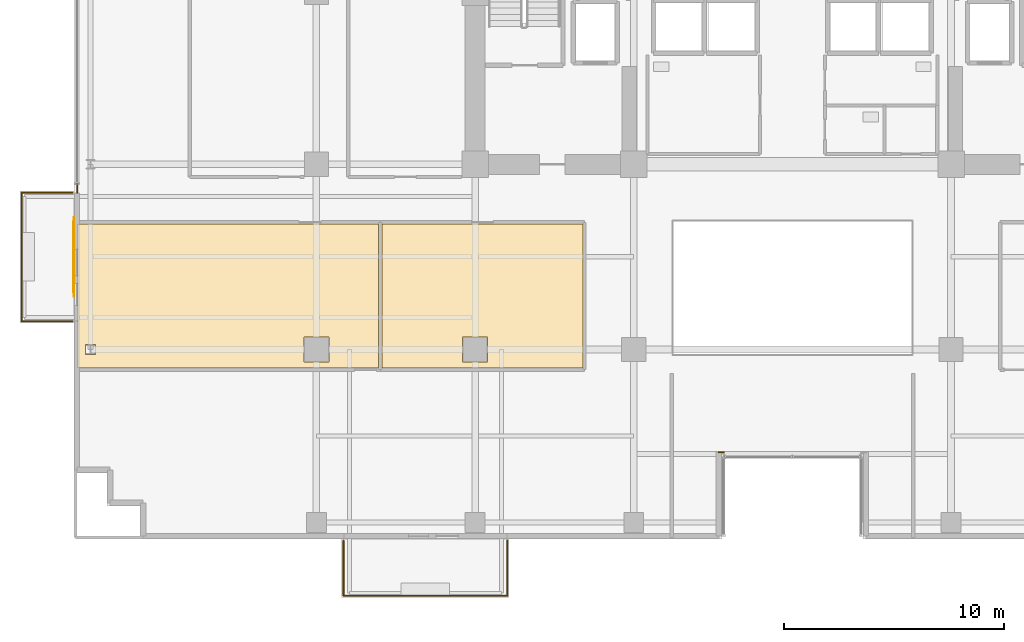
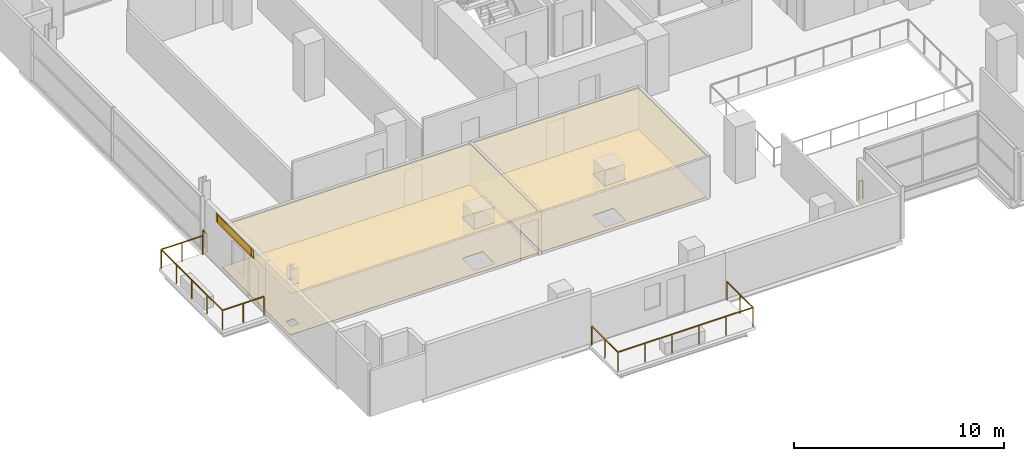
# One storey, part 27 of 30: 5 coverings, 4 railings, 1 shading device.
"""IFC4 building model written with IfcOpenShell, lengths in metres."""

from ifc_helpers import new_model, si_unit, direction, frame, origin, origin_2d, place, context, subcontext, project, spatial, polyline, rectangle, outline, extrude, source, transform, mapped, material, layer, layer_set, type_object, element, save


model = new_model("IFC4")

# Units and contexts
model_context = context("Model", 3, precision=1e-05, world=origin(), true_north=direction((0.0, 1.0)))
body_context = subcontext(model_context, "Body", "Model", "MODEL_VIEW")
ifc_project = project(units=[si_unit("LENGTHUNIT", "METRE"), si_unit("AREAUNIT", "SQUARE_METRE"), si_unit("VOLUMEUNIT", "CUBIC_METRE"), si_unit("PLANEANGLEUNIT", "RADIAN"), si_unit("MASSUNIT", "GRAM", prefix="KILO")], contexts=[model_context])

# Site, building, storey
site_placement = place(None, origin())
site = spatial("IfcSite", under=ifc_project, at=site_placement, CompositionType="ELEMENT")
building_placement = place(site_placement, origin())
building = spatial("IfcBuilding", under=site, at=building_placement, Name="Zarnakvel Exchange Tower", CompositionType="ELEMENT")
storey_placement = place(building_placement, frame((0.0, 0.0, 40.60009765625)))
storey = spatial("IfcBuildingStorey", under=building, at=storey_placement, Name="L10", CompositionType="ELEMENT", Elevation=40.60009765625)

# Coverings
ifc_material_1 = material(Name="Perforated Bronze Acoustic Metal Ceiling", Category="aluminium")
ifc_layer_1 = layer(ifc_material_1, 0.02001953125)
ifc_layer_set_1 = layer_set([ifc_layer_1], Name="Perforated Bronze Acoustic Metal Ceiling")
covering_type_1 = type_object("IfcCoveringType", Name="CLG-01", PredefinedType="CEILING", material=ifc_layer_set_1)
covering_1_placement = place(storey_placement, frame((0.0, 0.0, 2.40478515625)))
element("IfcCovering", 1, at=covering_1_placement, inside=storey, type_object=covering_type_1, Name="L10 Suspended Acoustic Ceiling (Institutional Dealing Room)", PredefinedType="CEILING", context=body_context, shape_type="SweptSolid", body=[
    extrude(outline(polyline([(-32.449951171875, -3.909912109375), (-18.781982421875, -3.909912109375), (-18.781982421875, -10.43994140625), (-32.449951171875, -10.43994140625), (-32.449951171875, -3.909912109375)]), holes=[polyline([(-21.030029296875, -10.169921875), (-21.030029296875, -9.030029296875), (-22.169921875, -9.030029296875), (-22.169921875, -10.169921875), (-21.030029296875, -10.169921875)]), polyline([(-32.075927734375, -9.83251953125), (-31.6240234375, -9.83251953125), (-31.6240234375, -9.367431640625), (-32.075927734375, -9.367431640625), (-32.075927734375, -9.83251953125)])]), origin(), (0.0, 0.0, 1.0), 0.02001953125),
])
covering_2_placement = place(storey_placement, frame((0.0, 0.0, 2.40478515625)))
element("IfcCovering", 2, at=covering_2_placement, inside=storey, type_object=covering_type_1, Name="L10 Suspended Acoustic Ceiling (Clearing Office)", PredefinedType="CEILING", context=body_context, shape_type="SweptSolid", body=[
    extrude(outline(polyline([(-18.6220703125, -3.909912109375), (-9.510009765625, -3.909912109375), (-9.510009765625, -10.43994140625), (-18.6220703125, -10.43994140625), (-18.6220703125, -3.909912109375)]), holes=[polyline([(-13.830078125, -10.169921875), (-13.830078125, -9.030029296875), (-14.969970703125, -9.030029296875), (-14.969970703125, -10.169921875), (-13.830078125, -10.169921875)])]), origin(), (0.0, 0.0, 1.0), 0.02001953125),
])
ifc_material_2 = material(Name="Heavy-Duty Raised Access Floor Panel", Category="steel")
ifc_layer_2 = layer(ifc_material_2, 0.034912109375)
ifc_layer_set_2 = layer_set([ifc_layer_2], Name="Heavy-Duty Raised Access Floor Panel")
covering_type_2 = type_object("IfcCoveringType", Name="FLR-02", PredefinedType="FLOORING", material=ifc_layer_set_2)
covering_3_placement = place(storey_placement, origin())
element("IfcCovering", 3, at=covering_3_placement, inside=storey, type_object=covering_type_2, Name="L10 Floor Finish (Institutional Dealing Room)", PredefinedType="FLOORING", context=body_context, shape_type="SweptSolid", body=[
    extrude(outline(polyline([(-32.449951171875, -3.909912109375), (-18.781982421875, -3.909912109375), (-18.781982421875, -10.43994140625), (-32.449951171875, -10.43994140625), (-32.449951171875, -3.909912109375)]), holes=[polyline([(-21.030029296875, -10.169921875), (-21.030029296875, -9.030029296875), (-22.169921875, -9.030029296875), (-22.169921875, -10.169921875), (-21.030029296875, -10.169921875)]), polyline([(-32.075927734375, -9.83251953125), (-31.6240234375, -9.83251953125), (-31.6240234375, -9.367431640625), (-32.075927734375, -9.367431640625), (-32.075927734375, -9.83251953125)])]), origin(), (0.0, 0.0, 1.0), 0.034912109375),
])
covering_4_placement = place(storey_placement, origin())
element("IfcCovering", 4, at=covering_4_placement, inside=storey, type_object=covering_type_2, Name="L10 Floor Finish (Clearing Office)", PredefinedType="FLOORING", context=body_context, shape_type="SweptSolid", body=[
    extrude(outline(polyline([(-18.6220703125, -3.909912109375), (-9.510009765625, -3.909912109375), (-9.510009765625, -10.43994140625), (-18.6220703125, -10.43994140625), (-18.6220703125, -3.909912109375)]), holes=[polyline([(-13.830078125, -10.169921875), (-13.830078125, -9.030029296875), (-14.969970703125, -9.030029296875), (-14.969970703125, -10.169921875), (-13.830078125, -10.169921875)])]), origin(), (0.0, 0.0, 1.0), 0.034912109375),
])

# Railings
ifc_material_3 = material(Name="Architectural Bronze Anodised Aluminium", Category="aluminium")
railing_type = type_object("IfcRailingType", Name="GR-02", PredefinedType="GUARDRAIL", material=ifc_material_3)
railing_1_placement = place(storey_placement, frame((-20.3701171875, -18.280029296875, -0.03515625)))
element("IfcRailing", 5, at=railing_1_placement, inside=storey, type_object=railing_type, Name="L10 Balcony Guardrail BAL-L10-SW", PredefinedType="GUARDRAIL", context=body_context, shape_type="SweptSolid", body=[
    extrude(rectangle(XDim=0.048095703125, YDim=0.048095703125, at=origin_2d()), frame((0.0, 0.0, 1.09619140625), z_axis=(0.0, -1.0, 0.0), x_axis=(1.0, 0.0, 0.0)), (0.0, 0.0, 1.0), 2.489990234375),
    extrude(rectangle(XDim=0.048095703125, YDim=0.048095703125, at=origin_2d()), frame((0.0, -2.489990234375, 1.09619140625), z_axis=(1.0, 0.0, 0.0), x_axis=(0.0, 1.0, 0.0)), (0.0, 0.0, 1.0), 7.440185546875),
    extrude(rectangle(XDim=0.048095703125, YDim=0.048095703125, at=origin_2d()), frame((7.440185546875, -2.489990234375, 1.09619140625), z_axis=(0.0, 1.0, 0.0), x_axis=(-1.0, 0.0, 0.0)), (0.0, 0.0, 1.0), 2.489990234375),
    extrude(rectangle(XDim=0.0419921875, YDim=0.0419921875, at=origin_2d()), origin(), (0.0, 0.0, 1.0), 1.072021484375),
    extrude(rectangle(XDim=0.0419921875, YDim=0.0419921875, at=origin_2d()), frame((0.0, -1.2451171875, 0.0)), (0.0, 0.0, 1.0), 1.072021484375),
    extrude(rectangle(XDim=0.0419921875, YDim=0.0419921875, at=origin_2d()), frame((0.0, -2.489990234375, 0.0)), (0.0, 0.0, 1.0), 1.072021484375),
    extrude(rectangle(XDim=0.0419921875, YDim=0.0419921875, at=origin_2d()), frame((1.488037109375, -2.489990234375, 0.0)), (0.0, 0.0, 1.0), 1.072021484375),
    extrude(rectangle(XDim=0.0419921875, YDim=0.0419921875, at=origin_2d()), frame((2.97607421875, -2.489990234375, 0.0)), (0.0, 0.0, 1.0), 1.072021484375),
    extrude(rectangle(XDim=0.0419921875, YDim=0.0419921875, at=origin_2d()), frame((4.464111328125, -2.489990234375, 0.0)), (0.0, 0.0, 1.0), 1.072021484375),
    extrude(rectangle(XDim=0.0419921875, YDim=0.0419921875, at=origin_2d()), frame((5.9521484375, -2.489990234375, 0.0)), (0.0, 0.0, 1.0), 1.072021484375),
    extrude(rectangle(XDim=0.0419921875, YDim=0.0419921875, at=origin_2d()), frame((7.440185546875, -2.489990234375, 0.0)), (0.0, 0.0, 1.0), 1.072021484375),
    extrude(rectangle(XDim=0.0419921875, YDim=0.0419921875, at=origin_2d()), frame((7.440185546875, -1.2451171875, 0.0)), (0.0, 0.0, 1.0), 1.072021484375),
    extrude(rectangle(XDim=0.0419921875, YDim=0.0419921875, at=origin_2d()), frame((7.440185546875, 0.0, 0.0)), (0.0, 0.0, 1.0), 1.072021484375),
])
railing_2_placement = place(storey_placement, frame((-32.679931640625, -8.320068359375, -0.03515625)))
element("IfcRailing", 6, at=railing_2_placement, inside=storey, type_object=railing_type, Name="L10 Balcony Guardrail BAL-L10-W", PredefinedType="GUARDRAIL", context=body_context, shape_type="SweptSolid", body=[
    extrude(rectangle(XDim=0.048095703125, YDim=0.048095703125, at=origin_2d()), frame((0.0, 0.0, 1.09619140625), z_axis=(-1.0, 0.0, 0.0), x_axis=(0.0, -1.0, 0.0)), (0.0, 0.0, 1.0), 2.2900390625),
    extrude(rectangle(XDim=0.048095703125, YDim=0.048095703125, at=origin_2d()), frame((-2.2900390625, 0.0, 1.09619140625), z_axis=(0.0, 1.0, 0.0), x_axis=(-1.0, 0.0, 0.0)), (0.0, 0.0, 1.0), 5.840087890625),
    extrude(rectangle(XDim=0.048095703125, YDim=0.048095703125, at=origin_2d()), frame((-2.2900390625, 5.840087890625, 1.09619140625), z_axis=(1.0, 0.0, 0.0), x_axis=(0.0, 1.0, 0.0)), (0.0, 0.0, 1.0), 2.2900390625),
    extrude(rectangle(XDim=0.0419921875, YDim=0.0419921875, at=origin_2d()), origin(), (0.0, 0.0, 1.0), 1.072021484375),
    extrude(rectangle(XDim=0.0419921875, YDim=0.0419921875, at=origin_2d()), frame((-1.14501953125, 0.0, 0.0)), (0.0, 0.0, 1.0), 1.072021484375),
    extrude(rectangle(XDim=0.0419921875, YDim=0.0419921875, at=origin_2d()), frame((-2.2900390625, 0.0, 0.0)), (0.0, 0.0, 1.0), 1.072021484375),
    extrude(rectangle(XDim=0.0419921875, YDim=0.0419921875, at=origin_2d()), frame((-2.2900390625, 1.4599609375, 0.0)), (0.0, 0.0, 1.0), 1.072021484375),
    extrude(rectangle(XDim=0.0419921875, YDim=0.0419921875, at=origin_2d()), frame((-2.2900390625, 2.919921875, 0.0)), (0.0, 0.0, 1.0), 1.072021484375),
    extrude(rectangle(XDim=0.0419921875, YDim=0.0419921875, at=origin_2d()), frame((-2.2900390625, 4.380126953125, 0.0)), (0.0, 0.0, 1.0), 1.072021484375),
    extrude(rectangle(XDim=0.0419921875, YDim=0.0419921875, at=origin_2d()), frame((-2.2900390625, 5.840087890625, 0.0)), (0.0, 0.0, 1.0), 1.072021484375),
    extrude(rectangle(XDim=0.0419921875, YDim=0.0419921875, at=origin_2d()), frame((-1.14501953125, 5.840087890625, 0.0)), (0.0, 0.0, 1.0), 1.072021484375),
    extrude(rectangle(XDim=0.0419921875, YDim=0.0419921875, at=origin_2d()), frame((0.0, 5.840087890625, 0.0)), (0.0, 0.0, 1.0), 1.072021484375),
])
railing_3_placement = place(storey_placement, frame((-32.4599609375, -2.5, 0.0)))
element("IfcRailing", 7, at=railing_3_placement, inside=storey, type_object=railing_type, Name="L10 Corner Spandrel Balustrade #2", PredefinedType="GUARDRAIL", context=body_context, shape_type="SweptSolid", body=[
    extrude(rectangle(XDim=0.048095703125, YDim=0.048095703125, at=origin_2d()), frame((0.0, 0.0, 1.09619140625), z_axis=(0.0, 1.0, 0.0), x_axis=(-1.0, 0.0, 0.0)), (0.0, 0.0, 1.0), 0.39990234375),
    extrude(rectangle(XDim=0.0419921875, YDim=0.0419921875, at=origin_2d()), origin(), (0.0, 0.0, 1.0), 1.072021484375),
    extrude(rectangle(XDim=0.0419921875, YDim=0.0419921875, at=origin_2d()), frame((0.0, 0.39990234375, 0.0)), (0.0, 0.0, 1.0), 1.072021484375),
])
railing_4_placement = place(storey_placement, frame((-3.1201171875, -14.260009765625, 0.0)))
element("IfcRailing", 8, at=railing_4_placement, inside=storey, type_object=railing_type, Name="L10 Corner Spandrel Balustrade #19", PredefinedType="GUARDRAIL", context=body_context, shape_type="SweptSolid", body=[
    extrude(rectangle(XDim=0.048095703125, YDim=0.048095703125, at=origin_2d()), frame((0.0, 0.0, 1.09619140625), z_axis=(-1.0, 0.0, 0.0), x_axis=(0.0, -1.0, 0.0)), (0.0, 0.0, 1.0), 0.219970703125),
    extrude(rectangle(XDim=0.0419921875, YDim=0.0419921875, at=origin_2d()), origin(), (0.0, 0.0, 1.0), 1.072021484375),
    extrude(rectangle(XDim=0.0419921875, YDim=0.0419921875, at=origin_2d()), frame((-0.219970703125, 0.0, 0.0)), (0.0, 0.0, 1.0), 1.072021484375),
])

# Covering
ifc_material_4 = material(Name="Warm Sandstone Terracotta Spandrel Tile", Category="masonry")
ifc_layer_3 = layer(ifc_material_4, 0.031982421875)
ifc_layer_set_3 = layer_set([ifc_layer_3], Name="Warm Sandstone Terracotta Spandrel Tile")
covering_type_3 = type_object("IfcCoveringType", Name="CL-02", PredefinedType="CLADDING", material=ifc_layer_set_3)
shared_shape_1 = source(origin(), body_context, "Body", "SweptSolid", [
    extrude(rectangle(XDim=3.60009765625, YDim=0.031982421875, at=origin_2d()), origin(), (0.0, 0.0, 1.0), 0.4951171875),
])
covering_5_placement = place(storey_placement, frame((-32.593994140625, -5.39990234375, 2.559814453125), z_axis=(0.0, 0.0, 1.0), x_axis=(0.0, 1.0, 0.0)))
element("IfcCovering", 9, at=covering_5_placement, inside=storey, type_object=covering_type_3, Name="L10 Ceramic Spandrel Tilework CL-02", PredefinedType="CLADDING", context=body_context, shape_type="MappedRepresentation", body=[
    mapped(shared_shape_1, transform((0.0, 0.0, 0.0), x_axis=(1.0, 0.0, 0.0), y_axis=(0.0, 1.0, 0.0), z_axis=(0.0, 0.0, 1.0), scale=1.0)),
])

# Shading device
ifc_material_5 = material(Name="Perforated Architectural Bronze Screen", Category="aluminium")
ifc_layer_4 = layer(ifc_material_5, 0.044921875)
ifc_layer_set_4 = layer_set([ifc_layer_4], Name="Perforated Architectural Bronze Screen")
shading_device_type = type_object("IfcShadingDeviceType", Name="SS-01", PredefinedType="JALOUSIE", material=ifc_layer_set_4)
shared_shape_2 = source(origin(), body_context, "Body", "SweptSolid", [
    extrude(rectangle(XDim=3.199951171875, YDim=0.044921875, at=origin_2d()), origin(), (0.0, 0.0, 1.0), 0.4951171875),
])
shading_device_placement = place(storey_placement, frame((-32.6005859375, -5.39990234375, 2.559814453125), z_axis=(0.0, 0.0, 1.0), x_axis=(0.0, 1.0, 0.0)))
element("IfcShadingDevice", 10, at=shading_device_placement, inside=storey, type_object=shading_device_type, Name="L10 Bronze Solar Shading Screen SS-01", PredefinedType="JALOUSIE", context=body_context, shape_type="MappedRepresentation", body=[
    mapped(shared_shape_2, transform((0.0, 0.0, 0.0), x_axis=(1.0, 0.0, 0.0), y_axis=(0.0, 1.0, 0.0), z_axis=(0.0, 0.0, 1.0), scale=1.0)),
])

save(model, "model.ifc")
